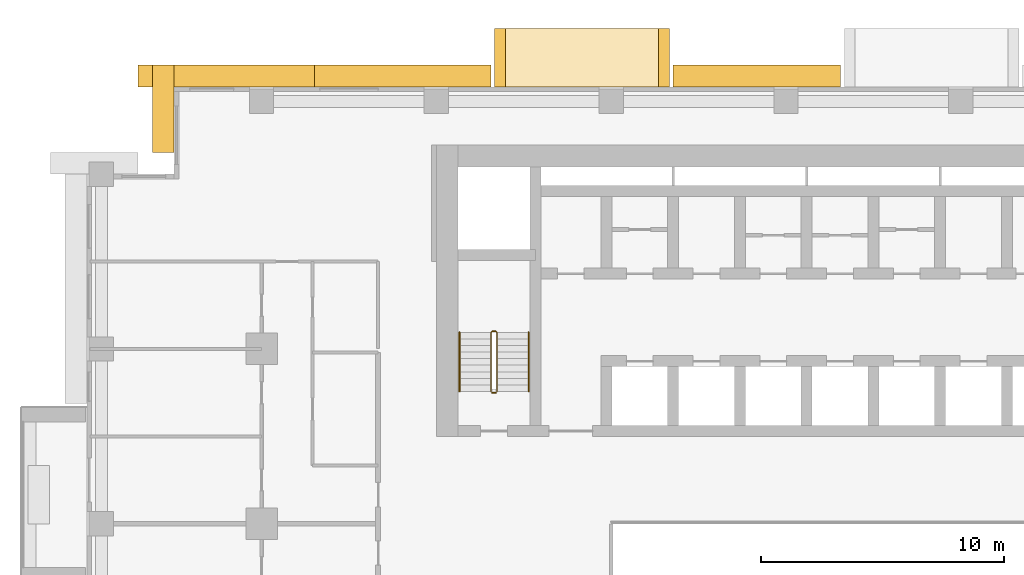
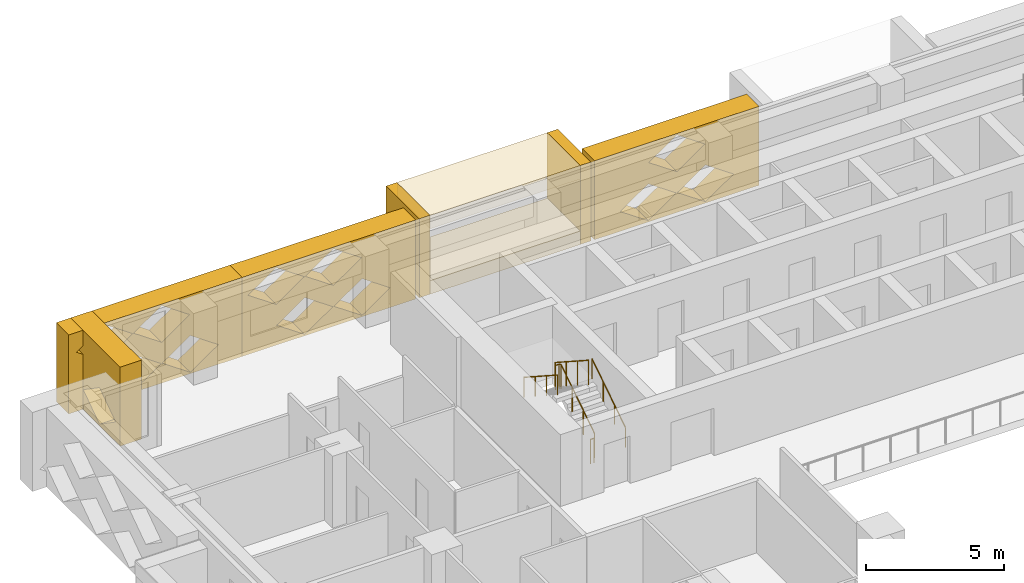
# One storey, part 15 of 17: 8 coverings, 4 railings.
"""IFC4 building model written with IfcOpenShell, lengths in metres."""

from ifc_helpers import new_model, si_unit, direction, frame, origin, origin_2d, place, context, subcontext, project, spatial, polyline, circle, outline, extrude, material, type_object, element, save


model = new_model("IFC4")

# Units and contexts
model_context = context("Model", 3, precision=1e-05, world=origin(), true_north=direction((0.0, 1.0)))
body_context = subcontext(model_context, "Body", "Model", "MODEL_VIEW")
ifc_project = project(units=[si_unit("LENGTHUNIT", "METRE"), si_unit("AREAUNIT", "SQUARE_METRE"), si_unit("VOLUMEUNIT", "CUBIC_METRE"), si_unit("PLANEANGLEUNIT", "RADIAN"), si_unit("MASSUNIT", "GRAM", prefix="KILO")], contexts=[model_context])

# Site, building, storey
site_placement = place(None, origin())
site = spatial("IfcSite", under=ifc_project, at=site_placement, CompositionType="ELEMENT")
building_placement = place(site_placement, origin())
building = spatial("IfcBuilding", under=site, at=building_placement, Name="Saffron Iwan Residences", CompositionType="ELEMENT")
storey_placement = place(building_placement, frame((0.0, 0.0, 76.0)))
storey = spatial("IfcBuildingStorey", under=building, at=storey_placement, Name="L19", CompositionType="ELEMENT", Elevation=76.0)

# Coverings
ifc_material_1 = material(Name="Precast concrete C40/50", Category="concrete")
covering_type_1 = type_object("IfcCoveringType", Name="OUTER SKIN LATTICE SCREEN", PredefinedType="CLADDING", material=ifc_material_1)
covering_1_placement = place(storey_placement, frame((45.449951171875, 80.39990234375, -0.320068359375), z_axis=(0.0, 1.0, 0.0), x_axis=(-1.0, 0.0, 0.0)))
element("IfcCovering", 1, at=covering_1_placement, inside=storey, type_object=covering_type_1, Name="OUTER SKIN lattice screen L19 F5.3", PredefinedType="CLADDING", context=body_context, shape_type="SweptSolid", body=[
    extrude(outline(polyline([(0.0, 0.0), (6.89990234375, 0.0), (6.89990234375, 3.5), (0.0, 3.5), (0.0, 0.0)]), holes=[polyline([(1.070068359375, 0.875), (2.25, 0.06005859375), (3.429931640625, 0.875), (2.25, 1.68994140625), (1.070068359375, 0.875)]), polyline([(3.469970703125, 0.875), (4.64990234375, 0.06005859375), (5.830078125, 0.875), (4.64990234375, 1.68994140625), (3.469970703125, 0.875)]), polyline([(2.27001953125, 2.625), (3.449951171875, 1.81005859375), (4.6298828125, 2.625), (3.449951171875, 3.43994140625), (2.27001953125, 2.625)])]), origin(), (0.0, 0.0, 1.0), 0.900146484375),
])
covering_2_placement = place(storey_placement, frame((31.050048828125, 80.39990234375, -0.320068359375), z_axis=(0.0, 1.0, 0.0), x_axis=(-1.0, 0.0, 0.0)))
element("IfcCovering", 2, at=covering_2_placement, inside=storey, type_object=covering_type_1, Name="OUTER SKIN lattice screen L19 F5.4", PredefinedType="CLADDING", context=body_context, shape_type="SweptSolid", body=[
    extrude(outline(polyline([(0.0, 0.0), (7.27490234375, 0.0), (7.27490234375, 3.5), (0.0, 3.5), (0.0, 0.0)]), holes=[polyline([(1.070068359375, 0.875), (2.25, 0.06005859375), (3.429931640625, 0.875), (2.25, 1.68994140625), (1.070068359375, 0.875)]), polyline([(3.469970703125, 0.875), (4.64990234375, 0.06005859375), (5.830078125, 0.875), (4.64990234375, 1.68994140625), (3.469970703125, 0.875)]), polyline([(2.27001953125, 2.625), (3.449951171875, 1.81005859375), (4.6298828125, 2.625), (3.449951171875, 3.43994140625), (2.27001953125, 2.625)]), polyline([(4.669921875, 2.625), (5.85009765625, 1.81005859375), (7.030029296875, 2.625), (5.85009765625, 3.43994140625), (4.669921875, 2.625)])]), origin(), (0.0, 0.0, 1.0), 0.900146484375),
])
covering_3_placement = place(storey_placement, frame((23.77490234375, 80.39990234375, -0.320068359375), z_axis=(0.0, 1.0, 0.0), x_axis=(-1.0, 0.0, 0.0)))
element("IfcCovering", 3, at=covering_3_placement, inside=storey, type_object=covering_type_1, Name="OUTER SKIN lattice screen L19 F5.5", PredefinedType="CLADDING", context=body_context, shape_type="SweptSolid", body=[
    extrude(outline(polyline([(0.0, 0.0), (7.27490234375, 0.0), (7.27490234375, 3.5), (0.0, 3.5), (0.0, 0.0)]), holes=[polyline([(0.9951171875, 0.875), (2.175048828125, 0.06005859375), (3.35498046875, 0.875), (2.175048828125, 1.68994140625), (0.9951171875, 0.875)]), polyline([(3.39501953125, 0.875), (4.574951171875, 0.06005859375), (5.7548828125, 0.875), (4.574951171875, 1.68994140625), (3.39501953125, 0.875)]), polyline([(2.195068359375, 2.625), (3.375, 1.81005859375), (4.554931640625, 2.625), (3.375, 3.43994140625), (2.195068359375, 2.625)]), polyline([(4.594970703125, 2.625), (5.77490234375, 1.81005859375), (6.955078125, 2.625), (5.77490234375, 3.43994140625), (4.594970703125, 2.625)])]), origin(), (0.0, 0.0, 1.0), 0.900146484375),
])
covering_4_placement = place(storey_placement, frame((18.0, 81.300048828125, -0.320068359375), z_axis=(-1.0, 0.0, 0.0), x_axis=(0.0, -1.0, 0.0)))
element("IfcCovering", 4, at=covering_4_placement, inside=storey, type_object=covering_type_1, Name="OUTER SKIN lattice screen L19 F6.0", PredefinedType="CLADDING", context=body_context, shape_type="SweptSolid", body=[
    extrude(outline(polyline([(0.0, 0.0), (3.60009765625, 0.0), (3.60009765625, 3.5), (0.0, 3.5), (0.0, 0.0)]), holes=[polyline([(0.919921875, 0.875), (2.10009765625, 0.06005859375), (3.280029296875, 0.875), (2.10009765625, 1.68994140625), (0.919921875, 0.875)])]), origin(), (0.0, 0.0, 1.0), 0.89990234375),
])

# Railings
ifc_material_2 = material(Name="Steel S355", Category="steel")
railing_type_1 = type_object("IfcRailingType", Name="Stair guard 1100", PredefinedType="GUARDRAIL", material=ifc_material_2)
railing_1_placement = place(storey_placement, frame((31.300048828125, 67.85009765625, 0.175048828125)))
element("IfcRailing", 5, at=railing_1_placement, inside=storey, type_object=railing_type_1, Name="L19 ST-W stair guard 1", PredefinedType="GUARDRAIL", context=body_context, shape_type="SweptSolid", body=[
    extrude(circle(Radius=0.02392578125, at=origin_2d()), frame((0.0, 0.0, 1.076171875), z_axis=(0.0, 0.839153699163, 0.543894354798), x_axis=(-1.0, 0.0, 0.0)), (0.0, 0.0, 1.0), 2.895751953125),
    extrude(circle(Radius=0.02392578125, at=origin_2d()), frame((0.0, 2.429931640625, 2.65087890625), z_axis=(-0.707106781187, 0.707106781187, 0.0), x_axis=(-0.707106781187, -0.707106781187, 0.0)), (0.0, 0.0, 1.0), 0.07080078125),
    extrude(circle(Radius=0.02392578125, at=origin_2d()), frame((-0.050048828125, 2.47998046875, 2.65087890625), z_axis=(-1.0, 0.0, 0.0), x_axis=(0.0, -1.0, 0.0)), (0.0, 0.0, 1.0), 0.14990234375),
    extrude(circle(Radius=0.02392578125, at=origin_2d()), frame((-0.199951171875, 2.47998046875, 2.65087890625), z_axis=(-0.265065253269, -0.265065253269, 0.927081885822), x_axis=(0.707106781187, -0.707106781187, 0.0)), (0.0, 0.0, 1.0), 0.188720703125),
    extrude(circle(Radius=0.02392578125, at=origin_2d()), frame((-0.25, 2.429931640625, 2.826171875), z_axis=(0.0, -0.839153699163, 0.543894354798), x_axis=(1.0, 0.0, 0.0)), (0.0, 0.0, 1.0), 2.895751953125),
    extrude(circle(Radius=0.02099609375, at=origin_2d()), origin(), (0.0, 0.0, 1.0), 1.052001953125),
    extrude(circle(Radius=0.02099609375, at=origin_2d()), frame((0.0, 0.81005859375, 0.52490234375)), (0.0, 0.0, 1.0), 1.052001953125),
    extrude(circle(Radius=0.02099609375, at=origin_2d()), frame((0.0, 1.619873046875, 1.050048828125)), (0.0, 0.0, 1.0), 1.052001953125),
    extrude(circle(Radius=0.02099609375, at=origin_2d()), frame((0.0, 2.429931640625, 1.574951171875)), (0.0, 0.0, 1.0), 1.052001953125),
    extrude(circle(Radius=0.02099609375, at=origin_2d()), frame((-0.050048828125, 2.47998046875, 1.574951171875)), (0.0, 0.0, 1.0), 1.052001953125),
    extrude(circle(Radius=0.02099609375, at=origin_2d()), frame((-0.199951171875, 2.47998046875, 1.574951171875)), (0.0, 0.0, 1.0), 1.052001953125),
    extrude(circle(Radius=0.02099609375, at=origin_2d()), frame((-0.25, 2.429931640625, 1.75)), (0.0, 0.0, 1.0), 1.052001953125),
    extrude(circle(Radius=0.02099609375, at=origin_2d()), frame((-0.25, 1.619873046875, 2.27490234375)), (0.0, 0.0, 1.0), 1.052001953125),
    extrude(circle(Radius=0.02099609375, at=origin_2d()), frame((-0.25, 0.81005859375, 2.800048828125)), (0.0, 0.0, 1.0), 1.052001953125),
    extrude(circle(Radius=0.02099609375, at=origin_2d()), frame((-0.25, 0.0, 3.324951171875)), (0.0, 0.0, 1.0), 1.052001953125),
])
railing_2_placement = place(storey_placement, frame((31.25, 67.800048828125, 0.0)))
element("IfcRailing", 6, at=railing_2_placement, inside=storey, type_object=railing_type_1, Name="L19 ST-W stair guard 2", PredefinedType="GUARDRAIL", context=body_context, shape_type="SweptSolid", body=[
    extrude(circle(Radius=0.02392578125, at=origin_2d()), frame((0.0, 0.0, 1.076171875), z_axis=(-1.0, 0.0, 0.0), x_axis=(0.0, -1.0, 0.0)), (0.0, 0.0, 1.0), 0.14990234375),
    extrude(circle(Radius=0.02099609375, at=origin_2d()), origin(), (0.0, 0.0, 1.0), 1.052001953125),
    extrude(circle(Radius=0.02099609375, at=origin_2d()), frame((-0.14990234375, 0.0, 0.0)), (0.0, 0.0, 1.0), 1.052001953125),
])
ifc_material_3 = material(Name="Stainless steel 316", Category="steel")
railing_type_2 = type_object("IfcRailingType", Name="Stair handrail 900", PredefinedType="HANDRAIL", material=ifc_material_3)
railing_3_placement = place(storey_placement, frame((32.60009765625, 67.85009765625, 0.175048828125)))
element("IfcRailing", 7, at=railing_3_placement, inside=storey, type_object=railing_type_2, Name="L19 ST-W stair handrail 1", PredefinedType="HANDRAIL", context=body_context, shape_type="SweptSolid", body=[
    extrude(circle(Radius=0.02392578125, at=origin_2d()), frame((0.0, 0.0, 0.8759765625), z_axis=(0.0, 0.839153699163, 0.543894354798), x_axis=(-1.0, 0.0, 0.0)), (0.0, 0.0, 1.0), 2.895751953125),
    extrude(circle(Radius=0.02099609375, at=origin_2d()), origin(), (0.0, 0.0, 1.0), 0.851806640625),
    extrude(circle(Radius=0.02099609375, at=origin_2d()), frame((0.0, 0.81005859375, 0.52490234375)), (0.0, 0.0, 1.0), 0.851806640625),
    extrude(circle(Radius=0.02099609375, at=origin_2d()), frame((0.0, 1.619873046875, 1.050048828125)), (0.0, 0.0, 1.0), 0.851806640625),
    extrude(circle(Radius=0.02099609375, at=origin_2d()), frame((0.0, 2.429931640625, 1.574951171875)), (0.0, 0.0, 1.0), 0.851806640625),
])
railing_4_placement = place(storey_placement, frame((29.75, 70.280029296875, 1.925048828125)))
element("IfcRailing", 8, at=railing_4_placement, inside=storey, type_object=railing_type_2, Name="L19 ST-W stair handrail 2", PredefinedType="HANDRAIL", context=body_context, shape_type="SweptSolid", body=[
    extrude(circle(Radius=0.02392578125, at=origin_2d()), frame((0.0, 0.0, 0.8759765625), z_axis=(0.0, -0.839153699163, 0.543894354798), x_axis=(1.0, 0.0, 0.0)), (0.0, 0.0, 1.0), 2.895751953125),
    extrude(circle(Radius=0.02099609375, at=origin_2d()), origin(), (0.0, 0.0, 1.0), 0.851806640625),
    extrude(circle(Radius=0.02099609375, at=origin_2d()), frame((0.0, -0.81005859375, 0.52490234375)), (0.0, 0.0, 1.0), 0.851806640625),
    extrude(circle(Radius=0.02099609375, at=origin_2d()), frame((0.0, -1.619873046875, 1.050048828125)), (0.0, 0.0, 1.0), 0.851806640625),
    extrude(circle(Radius=0.02099609375, at=origin_2d()), frame((0.0, -2.429931640625, 1.574951171875)), (0.0, 0.0, 1.0), 0.851806640625),
])

# Coverings
ifc_material_4 = material(Name="Precast concrete C40/50 white painted", Category="concrete")
covering_type_2 = type_object("IfcCoveringType", Name="WHITE SUN FRAME PRECAST", PredefinedType="CLADDING", material=ifc_material_4)
for number, where, z_axis, x_axis, name in (
    (9, (38.39990234375, 80.39990234375, -0.320068359375), (0.0, 1.0, 0.0), (-1.0, 0.0, 0.0), "Sun frame L19 F5 44.4a"),
    (10, (31.64990234375, 80.39990234375, -0.320068359375), (0.0, 1.0, 0.0), (-1.0, 0.0, 0.0), "Sun frame L19 F5 44.4b"),
):
    element("IfcCovering", number, at=place(storey_placement, frame(where, z_axis=z_axis, x_axis=x_axis)), inside=storey, type_object=covering_type_2, Name=name, PredefinedType="CLADDING", context=body_context, shape_type="SweptSolid", body=[
        extrude(outline(polyline([(0.0, 0.0), (0.449951171875, 0.0), (0.449951171875, 3.5), (0.0, 3.5), (0.0, 0.0)])), origin(), (0.0, 0.0, 1.0), 2.400146484375),
    ])
for number, where, z_axis, x_axis, name in (
    (11, (37.949951171875, 80.39990234375, 2.580078125), (0.0, 1.0, 0.0), (-1.0, 0.0, 0.0), "Sun frame L19 F5 44.4h"),
    (12, (37.949951171875, 80.39990234375, -0.320068359375), (0.0, 1.0, 0.0), (-1.0, 0.0, 0.0), "Sun frame L19 F5 44.4s"),
):
    element("IfcCovering", number, at=place(storey_placement, frame(where, z_axis=z_axis, x_axis=x_axis)), inside=storey, type_object=covering_type_2, Name=name, PredefinedType="CLADDING", context=body_context, shape_type="SweptSolid", body=[
        extrude(outline(polyline([(0.0, 0.0), (6.300048828125, 0.0), (6.300048828125, 0.60009765625), (0.0, 0.60009765625), (0.0, 0.0)])), origin(), (0.0, 0.0, 1.0), 2.400146484375),
    ])

save(model, "model.ifc")
